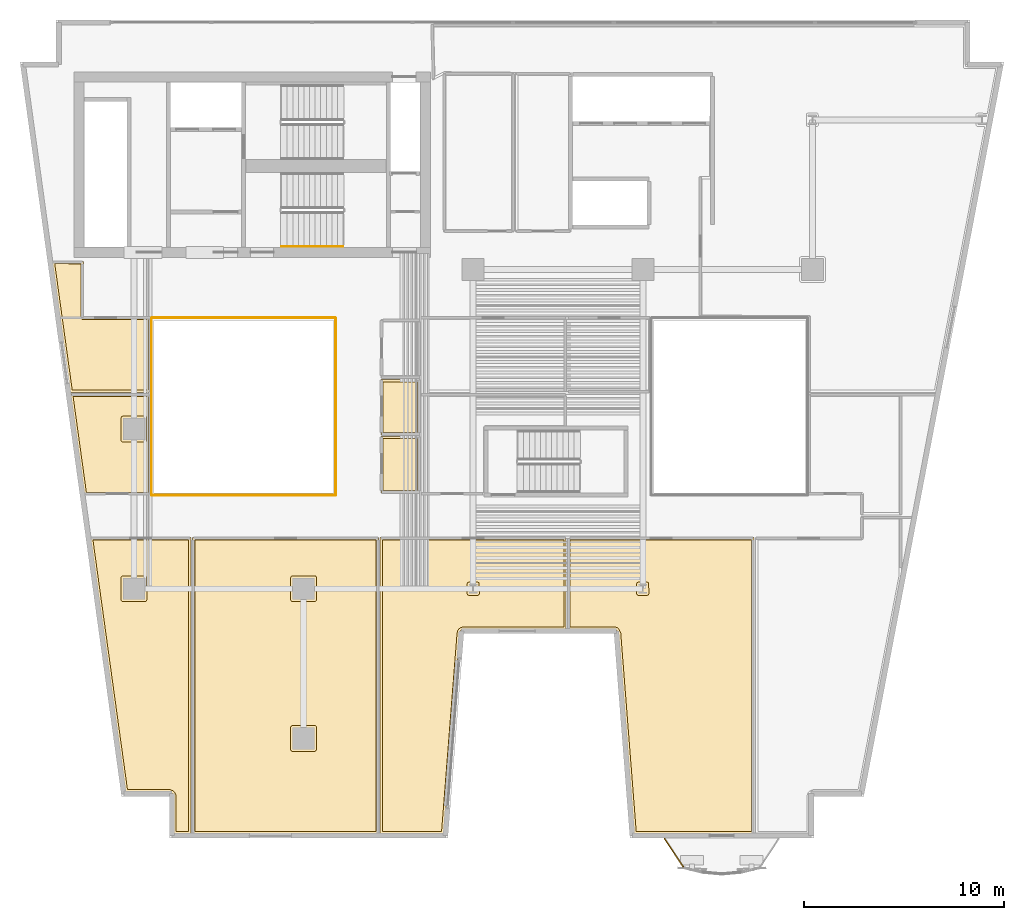
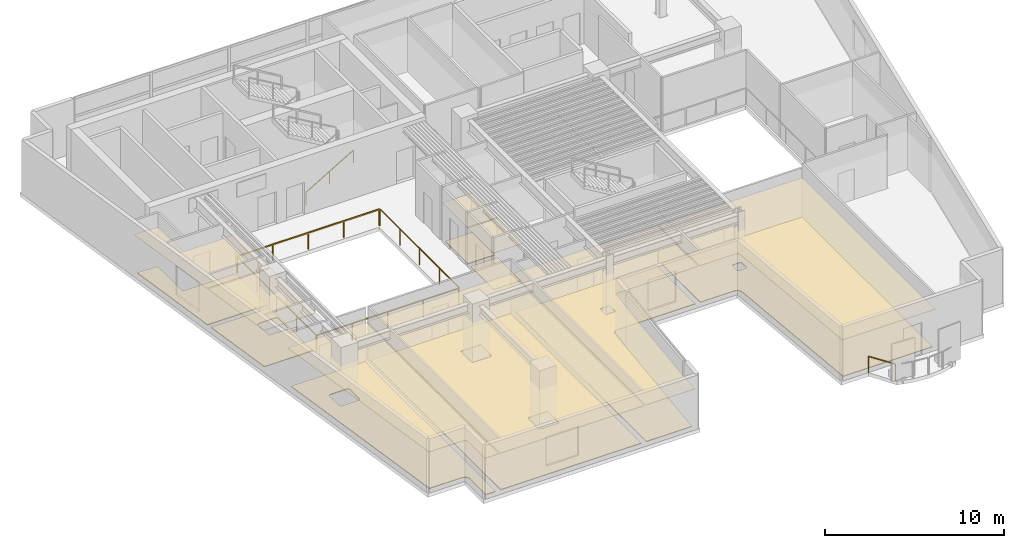
# One storey, part 9 of 13: 16 coverings, 6 railings.
"""IFC4 building model written with IfcOpenShell, lengths in metres."""

from ifc_helpers import new_model, si_unit, direction, frame, origin, origin_2d, place, context, subcontext, project, spatial, polyline, rectangle, outline, extrude, material, layer, layer_set, type_object, element, save


model = new_model("IFC4")

# Units and contexts
model_context = context("Model", 3, precision=1e-05, world=origin(), true_north=direction((0.0, 1.0)))
body_context = subcontext(model_context, "Body", "Model", "MODEL_VIEW")
ifc_project = project(units=[si_unit("LENGTHUNIT", "METRE"), si_unit("AREAUNIT", "SQUARE_METRE"), si_unit("VOLUMEUNIT", "CUBIC_METRE"), si_unit("PLANEANGLEUNIT", "RADIAN"), si_unit("MASSUNIT", "GRAM", prefix="KILO")], contexts=[model_context])

# Site, building, storey
site_placement = place(None, origin())
site = spatial("IfcSite", under=ifc_project, at=site_placement, CompositionType="ELEMENT")
building_placement = place(site_placement, origin())
building = spatial("IfcBuilding", under=site, at=building_placement, Name="Caeloran Harvest Quay", CompositionType="ELEMENT")
storey_placement = place(building_placement, frame((0.0, 0.0, 162.75)))
storey = spatial("IfcBuildingStorey", under=building, at=storey_placement, Name="L38", CompositionType="ELEMENT", Elevation=162.75)

# Coverings
ifc_material_1 = material(Name="Perforated Mineral-Fibre Acoustic Ceiling Tile", Category="ceiling")
ifc_layer_1 = layer(ifc_material_1, 0.0400390625, Name="Perforated Mineral-Fibre Acoustic Ceiling Tile")
ifc_layer_set_1 = layer_set([ifc_layer_1], Name="Perforated Mineral-Fibre Acoustic Ceiling Tile")
covering_type_1 = type_object("IfcCoveringType", Name="COV-CEILING-ACOUSTIC", PredefinedType="CEILING", material=ifc_layer_set_1)
covering_1_placement = place(storey_placement, frame((0.0, 0.0, 2.60009765625)))
element("IfcCovering", 1, at=covering_1_placement, inside=storey, type_object=covering_type_1, Name="L38 Female Washroom WC Acoustic Ceiling", PredefinedType="CEILING", context=body_context, shape_type="SweptSolid", body=[
    extrude(outline(polyline([(22.840087890625, 22.7099609375), (20.8701171875, 22.7099609375), (20.8701171875, 25.489990234375), (22.840087890625, 25.489990234375), (22.840087890625, 22.7099609375)])), origin(), (0.0, 0.0, 1.0), 0.039794921875),
])
covering_2_placement = place(storey_placement, frame((0.0, 0.0, 2.60009765625)))
element("IfcCovering", 2, at=covering_2_placement, inside=storey, type_object=covering_type_1, Name="L38 Accessible Unisex Washroom WC Acoustic Ceiling", PredefinedType="CEILING", context=body_context, shape_type="SweptSolid", body=[
    extrude(outline(polyline([(22.840087890625, 19.81005859375), (20.8701171875, 19.81005859375), (20.8701171875, 22.639892578125), (22.840087890625, 22.639892578125), (22.840087890625, 19.81005859375)])), origin(), (0.0, 0.0, 1.0), 0.039794921875),
])
covering_3_placement = place(storey_placement, frame((0.0, 0.0, 2.60009765625)))
element("IfcCovering", 3, at=covering_3_placement, inside=storey, type_object=covering_type_1, Name="Agro-Finance Summit Conference Hall Acoustic Ceiling", PredefinedType="CEILING", context=body_context, shape_type="SweptSolid", body=[
    extrude(outline(polyline([(20.760009765625, 2.719970703125), (11.43994140625, 2.719970703125), (11.43994140625, 17.56005859375), (20.760009765625, 17.56005859375), (20.760009765625, 2.719970703125)])), origin(), (0.0, 0.0, 1.0), 0.039794921875),
])
covering_4_placement = place(storey_placement, frame((0.0, 0.0, 2.60009765625)))
element("IfcCovering", 4, at=covering_4_placement, inside=storey, type_object=covering_type_1, Name="Carbon Credit Seminar Room Acoustic Ceiling", PredefinedType="CEILING", context=body_context, shape_type="SweptSolid", body=[
    extrude(outline(polyline([(32.771484375, 12.788818359375), (32.739501953125, 12.86962890625), (32.696044921875, 12.918701171875), (32.576904296875, 12.968994140625), (30.239990234375, 12.969970703125), (30.239990234375, 17.56005859375), (39.56005859375, 17.56005859375), (39.56005859375, 2.719970703125), (33.55859375, 2.719970703125), (32.771484375, 12.788818359375)])), origin(), (0.0, 0.0, 1.0), 0.039794921875),
])
covering_5_placement = place(storey_placement, frame((0.0, 0.0, 2.60009765625)))
element("IfcCovering", 5, at=covering_5_placement, inside=storey, type_object=covering_type_1, Name="Investor Espresso Kitchen Acoustic Ceiling", PredefinedType="CEILING", context=body_context, shape_type="SweptSolid", body=[
    extrude(outline(polyline([(10.464111328125, 4.70361328125), (10.373779296875, 4.7939453125), (10.26904296875, 4.820068359375), (8.0712890625, 4.820068359375), (6.309326171875, 17.56005859375), (11.360107421875, 17.56005859375), (11.360107421875, 2.719970703125), (10.489990234375, 2.719970703125), (10.489990234375, 4.59912109375), (10.464111328125, 4.70361328125)])), origin(), (0.0, 0.0, 1.0), 0.039794921875),
])
covering_6_placement = place(storey_placement, frame((0.0, 0.0, 2.60009765625)))
element("IfcCovering", 6, at=covering_6_placement, inside=storey, type_object=covering_type_1, Name="Hospitality Catering Kitchen Acoustic Ceiling", PredefinedType="CEILING", context=body_context, shape_type="SweptSolid", body=[
    extrude(outline(polyline([(24.986572265625, 12.965576171875), (24.925048828125, 12.943359375), (24.8583984375, 12.887451171875), (24.810546875, 12.76611328125), (24.026611328125, 2.719970703125), (20.840087890625, 2.719970703125), (20.840087890625, 17.56005859375), (30.159912109375, 17.56005859375), (30.159912109375, 12.969970703125), (24.986572265625, 12.965576171875)])), origin(), (0.0, 0.0, 1.0), 0.039794921875),
])
covering_7_placement = place(storey_placement, frame((0.0, 0.0, 2.60009765625)))
element("IfcCovering", 7, at=covering_7_placement, inside=storey, type_object=covering_type_1, Name="Executive Wellness Lounge Acoustic Ceiling", PredefinedType="CEILING", context=body_context, shape_type="SweptSolid", body=[
    extrude(outline(polyline([(9.360107421875, 19.7099609375), (6.01220703125, 19.7099609375), (5.313720703125, 24.760009765625), (9.360107421875, 24.760009765625), (9.360107421875, 19.7099609375)])), origin(), (0.0, 0.0, 1.0), 0.039794921875),
])
covering_8_placement = place(storey_placement, frame((0.0, 0.0, 2.60009765625)))
element("IfcCovering", 8, at=covering_8_placement, inside=storey, type_object=covering_type_1, Name="Investor Espresso Kitchen 11 Acoustic Ceiling", PredefinedType="CEILING", context=body_context, shape_type="SweptSolid", body=[
    extrude(outline(polyline([(5.260009765625, 31.389892578125), (5.9599609375, 31.389892578125), (5.9599609375, 28.610107421875), (9.360107421875, 28.610107421875), (9.360107421875, 24.840087890625), (5.302490234375, 24.840087890625), (4.391357421875, 31.429931640625), (5.214599609375, 31.429931640625), (5.260009765625, 31.408447265625), (5.260009765625, 31.389892578125)])), origin(), (0.0, 0.0, 1.0), 0.039794921875),
])
ifc_material_2 = material(Name="Calcium-Sulphate Raised Access Floor and Terrazzo Finish", Category="flooring")
ifc_layer_2 = layer(ifc_material_2, 0.050048828125, Name="Calcium-Sulphate Raised Access Floor and Terrazzo Finish")
ifc_layer_set_2 = layer_set([ifc_layer_2], Name="Calcium-Sulphate Raised Access Floor and Terrazzo Finish")
covering_type_2 = type_object("IfcCoveringType", Name="COV-FLOOR-RAISED", PredefinedType="FLOORING", material=ifc_layer_set_2)
covering_9_placement = place(storey_placement, origin())
element("IfcCovering", 9, at=covering_9_placement, inside=storey, type_object=covering_type_2, Name="L38 Female Washroom WC Raised Finish Flooring", PredefinedType="FLOORING", context=body_context, shape_type="SweptSolid", body=[
    extrude(outline(polyline([(22.719970703125, 22.830078125), (20.989990234375, 22.830078125), (20.989990234375, 25.3701171875), (22.719970703125, 25.3701171875), (22.719970703125, 22.830078125)])), origin(), (0.0, 0.0, 1.0), 0.050048828125),
])
covering_10_placement = place(storey_placement, origin())
element("IfcCovering", 10, at=covering_10_placement, inside=storey, type_object=covering_type_2, Name="L38 Accessible Unisex Washroom WC Raised Finish Flooring", PredefinedType="FLOORING", context=body_context, shape_type="SweptSolid", body=[
    extrude(outline(polyline([(22.719970703125, 19.929931640625), (20.989990234375, 19.929931640625), (20.989990234375, 22.52001953125), (22.719970703125, 22.52001953125), (22.719970703125, 19.929931640625)])), origin(), (0.0, 0.0, 1.0), 0.050048828125),
])
covering_11_placement = place(storey_placement, origin())
element("IfcCovering", 11, at=covering_11_placement, inside=storey, type_object=covering_type_2, Name="Agro-Finance Summit Conference Hall Raised Finish Flooring", PredefinedType="FLOORING", context=body_context, shape_type="SweptSolid", body=[
    extrude(outline(polyline([(11.56005859375, 17.43994140625), (20.639892578125, 17.43994140625), (20.639892578125, 2.840087890625), (11.56005859375, 2.840087890625), (11.56005859375, 17.43994140625)]), holes=[polyline([(16.43505859375, 8.14501953125), (16.37841796875, 8.12158203125), (16.35498046875, 8.06494140625), (16.35498046875, 6.93505859375), (16.37841796875, 6.87841796875), (16.43505859375, 6.85498046875), (17.56494140625, 6.85498046875), (17.62158203125, 6.87841796875), (17.64501953125, 6.93505859375), (17.64501953125, 8.06494140625), (17.62158203125, 8.12158203125), (17.56494140625, 8.14501953125), (16.43505859375, 8.14501953125)]), polyline([(16.43505859375, 15.64501953125), (16.37841796875, 15.62158203125), (16.35498046875, 15.56494140625), (16.35498046875, 14.43505859375), (16.37841796875, 14.37841796875), (16.43505859375, 14.35498046875), (17.56494140625, 14.35498046875), (17.62158203125, 14.37841796875), (17.64501953125, 14.43505859375), (17.64501953125, 15.56494140625), (17.62158203125, 15.62158203125), (17.56494140625, 15.64501953125), (16.43505859375, 15.64501953125)])]), origin(), (0.0, 0.0, 1.0), 0.050048828125),
])
covering_12_placement = place(storey_placement, origin())
element("IfcCovering", 12, at=covering_12_placement, inside=storey, type_object=covering_type_2, Name="Carbon Credit Seminar Room Raised Finish Flooring", PredefinedType="FLOORING", context=body_context, shape_type="SweptSolid", body=[
    extrude(outline(polyline([(32.89404296875, 12.776611328125), (32.80078125, 12.98486328125), (32.7138671875, 13.050537109375), (32.5927734375, 13.087890625), (30.360107421875, 13.090087890625), (30.360107421875, 17.43994140625), (39.43994140625, 17.43994140625), (39.43994140625, 2.840087890625), (33.66943359375, 2.840087890625), (32.89404296875, 12.776611328125)]), holes=[polyline([(34.306884765625, 14.748046875), (34.288818359375, 15.302734375), (34.23486328125, 15.33154296875), (33.77294921875, 15.33203125), (33.71630859375, 15.30859375), (33.693115234375, 15.251953125), (33.693115234375, 14.748046875), (33.71630859375, 14.69140625), (33.77294921875, 14.66796875), (34.22705078125, 14.66796875), (34.28369140625, 14.69140625), (34.306884765625, 14.748046875)])]), origin(), (0.0, 0.0, 1.0), 0.050048828125),
])
covering_13_placement = place(storey_placement, origin())
element("IfcCovering", 13, at=covering_13_placement, inside=storey, type_object=covering_type_2, Name="Investor Espresso Kitchen Raised Finish Flooring", PredefinedType="FLOORING", context=body_context, shape_type="SweptSolid", body=[
    extrude(outline(polyline([(10.58544921875, 4.726318359375), (10.482666015625, 4.865234375), (10.29931640625, 4.938720703125), (8.17578125, 4.93994140625), (6.447021484375, 17.43994140625), (11.239990234375, 17.43994140625), (11.239990234375, 2.840087890625), (10.610107421875, 2.840087890625), (10.610107421875, 4.60009765625), (10.58544921875, 4.726318359375)]), holes=[polyline([(7.93505859375, 15.64501953125), (7.87841796875, 15.62158203125), (7.85498046875, 15.56494140625), (7.85498046875, 14.43505859375), (7.87841796875, 14.37841796875), (7.93505859375, 14.35498046875), (9.06494140625, 14.35498046875), (9.12158203125, 14.37841796875), (9.14501953125, 14.43505859375), (9.14501953125, 15.56494140625), (9.12158203125, 15.62158203125), (9.06494140625, 15.64501953125), (7.93505859375, 15.64501953125)])]), origin(), (0.0, 0.0, 1.0), 0.050048828125),
])
covering_14_placement = place(storey_placement, origin())
element("IfcCovering", 14, at=covering_14_placement, inside=storey, type_object=covering_type_2, Name="Hospitality Catering Kitchen Raised Finish Flooring", PredefinedType="FLOORING", context=body_context, shape_type="SweptSolid", body=[
    extrude(outline(polyline([(25.000244140625, 13.088623046875), (24.89453125, 13.061767578125), (24.789794921875, 12.990478515625), (24.72607421875, 12.902099609375), (24.69140625, 12.780517578125), (23.91552734375, 2.840087890625), (20.9599609375, 2.840087890625), (20.9599609375, 17.43994140625), (30.0400390625, 17.43994140625), (30.0400390625, 13.090087890625), (25.000244140625, 13.088623046875)]), holes=[polyline([(25.806884765625, 14.748046875), (25.788818359375, 15.302734375), (25.73486328125, 15.33154296875), (25.27294921875, 15.33203125), (25.21630859375, 15.30859375), (25.193115234375, 15.251953125), (25.193115234375, 14.748046875), (25.21630859375, 14.69140625), (25.27294921875, 14.66796875), (25.72705078125, 14.66796875), (25.78369140625, 14.69140625), (25.806884765625, 14.748046875)])]), origin(), (0.0, 0.0, 1.0), 0.050048828125),
])
covering_15_placement = place(storey_placement, origin())
element("IfcCovering", 15, at=covering_15_placement, inside=storey, type_object=covering_type_2, Name="Executive Wellness Lounge Raised Finish Flooring", PredefinedType="FLOORING", context=body_context, shape_type="SweptSolid", body=[
    extrude(outline(polyline([(9.239990234375, 24.639892578125), (9.239990234375, 19.830078125), (6.11669921875, 19.830078125), (5.451416015625, 24.639892578125), (9.239990234375, 24.639892578125)]), holes=[polyline([(9.14501953125, 23.56494140625), (9.12158203125, 23.62158203125), (9.06494140625, 23.64501953125), (7.93505859375, 23.64501953125), (7.87841796875, 23.62158203125), (7.85498046875, 23.56494140625), (7.85498046875, 22.43505859375), (7.87841796875, 22.37841796875), (7.93505859375, 22.35498046875), (9.06494140625, 22.35498046875), (9.12158203125, 22.37841796875), (9.14501953125, 22.43505859375), (9.14501953125, 23.56494140625)])]), origin(), (0.0, 0.0, 1.0), 0.050048828125),
])
covering_16_placement = place(storey_placement, origin())
element("IfcCovering", 16, at=covering_16_placement, inside=storey, type_object=covering_type_2, Name="Investor Espresso Kitchen 11 Raised Finish Flooring", PredefinedType="FLOORING", context=body_context, shape_type="SweptSolid", body=[
    extrude(outline(polyline([(5.165283203125, 31.31005859375), (5.2431640625, 31.270263671875), (5.840087890625, 31.27001953125), (5.840087890625, 28.60009765625), (5.8857421875, 28.5107421875), (5.949951171875, 28.489990234375), (9.239990234375, 28.489990234375), (9.239990234375, 24.9599609375), (5.4072265625, 24.9599609375), (4.529052734375, 31.31005859375), (5.165283203125, 31.31005859375)])), origin(), (0.0, 0.0, 1.0), 0.050048828125),
])

# Railings
ifc_material_3 = material(Name="Powder-Coated Steel Post and Laminated Glass Guardrail", Category="steel")
ifc_layer_3 = layer(ifc_material_3, 0.06005859375, Name="Powder-Coated Steel Post and Laminated Glass Guardrail")
ifc_layer_set_3 = layer_set([ifc_layer_3], Name="Powder-Coated Steel Post and Laminated Glass Guardrail")
railing_type_1 = type_object("IfcRailingType", Name="GUARD-ATRIUM-1150", PredefinedType="GUARDRAIL", material=ifc_layer_set_3)
railing_1_placement = place(storey_placement, frame((9.412109375, 19.679931640625, 0.0)))
element("IfcRailing", 17, at=railing_1_placement, inside=storey, type_object=railing_type_1, Name="L38 Skylit Atrium Void Perimeter Guardrail Seg 1", PredefinedType="GUARDRAIL", context=body_context, shape_type="SweptSolid", body=[
    extrude(rectangle(XDim=0.048095703125, YDim=0.048095703125, at=origin_2d()), frame((0.0, 0.0, 1.1259765625), z_axis=(1.0, 0.0, 0.0), x_axis=(0.0, 1.0, 0.0)), (0.0, 0.0, 1.0), 9.17578125),
    extrude(rectangle(XDim=0.0419921875, YDim=0.0419921875, at=origin_2d()), origin(), (0.0, 0.0, 1.0), 1.101806640625),
    extrude(rectangle(XDim=0.0419921875, YDim=0.0419921875, at=origin_2d()), frame((2.2939453125, 0.0, 0.0)), (0.0, 0.0, 1.0), 1.101806640625),
    extrude(rectangle(XDim=0.0419921875, YDim=0.0419921875, at=origin_2d()), frame((4.587890625, 0.0, 0.0)), (0.0, 0.0, 1.0), 1.101806640625),
    extrude(rectangle(XDim=0.0419921875, YDim=0.0419921875, at=origin_2d()), frame((6.8818359375, 0.0, 0.0)), (0.0, 0.0, 1.0), 1.101806640625),
    extrude(rectangle(XDim=0.0419921875, YDim=0.0419921875, at=origin_2d()), frame((9.17578125, 0.0, 0.0)), (0.0, 0.0, 1.0), 1.101806640625),
])
railing_2_placement = place(storey_placement, frame((18.6201171875, 19.7119140625, 0.0)))
element("IfcRailing", 18, at=railing_2_placement, inside=storey, type_object=railing_type_1, Name="L38 Skylit Atrium Void Perimeter Guardrail Seg 2", PredefinedType="GUARDRAIL", context=body_context, shape_type="SweptSolid", body=[
    extrude(rectangle(XDim=0.048095703125, YDim=0.048095703125, at=origin_2d()), frame((0.0, 0.0, 1.1259765625), z_axis=(0.0, 1.0, 0.0), x_axis=(-1.0, 0.0, 0.0)), (0.0, 0.0, 1.0), 8.826171875),
    extrude(rectangle(XDim=0.0419921875, YDim=0.0419921875, at=origin_2d()), origin(), (0.0, 0.0, 1.0), 1.101806640625),
    extrude(rectangle(XDim=0.0419921875, YDim=0.0419921875, at=origin_2d()), frame((0.0, 2.20654296875, 0.0)), (0.0, 0.0, 1.0), 1.101806640625),
    extrude(rectangle(XDim=0.0419921875, YDim=0.0419921875, at=origin_2d()), frame((0.0, 4.4130859375, 0.0)), (0.0, 0.0, 1.0), 1.101806640625),
    extrude(rectangle(XDim=0.0419921875, YDim=0.0419921875, at=origin_2d()), frame((0.0, 6.61962890625, 0.0)), (0.0, 0.0, 1.0), 1.101806640625),
    extrude(rectangle(XDim=0.0419921875, YDim=0.0419921875, at=origin_2d()), frame((0.0, 8.826171875, 0.0)), (0.0, 0.0, 1.0), 1.101806640625),
])
railing_3_placement = place(storey_placement, frame((18.587890625, 28.570068359375, 0.0)))
element("IfcRailing", 19, at=railing_3_placement, inside=storey, type_object=railing_type_1, Name="L38 Skylit Atrium Void Perimeter Guardrail Seg 3", PredefinedType="GUARDRAIL", context=body_context, shape_type="SweptSolid", body=[
    extrude(rectangle(XDim=0.048095703125, YDim=0.048095703125, at=origin_2d()), frame((0.0, 0.0, 1.1259765625), z_axis=(-1.0, 0.0, 0.0), x_axis=(0.0, -1.0, 0.0)), (0.0, 0.0, 1.0), 9.17578125),
    extrude(rectangle(XDim=0.0419921875, YDim=0.0419921875, at=origin_2d()), origin(), (0.0, 0.0, 1.0), 1.101806640625),
    extrude(rectangle(XDim=0.0419921875, YDim=0.0419921875, at=origin_2d()), frame((-2.2939453125, 0.0, 0.0)), (0.0, 0.0, 1.0), 1.101806640625),
    extrude(rectangle(XDim=0.0419921875, YDim=0.0419921875, at=origin_2d()), frame((-4.587890625, 0.0, 0.0)), (0.0, 0.0, 1.0), 1.101806640625),
    extrude(rectangle(XDim=0.0419921875, YDim=0.0419921875, at=origin_2d()), frame((-6.8818359375, 0.0, 0.0)), (0.0, 0.0, 1.0), 1.101806640625),
    extrude(rectangle(XDim=0.0419921875, YDim=0.0419921875, at=origin_2d()), frame((-9.17578125, 0.0, 0.0)), (0.0, 0.0, 1.0), 1.101806640625),
])
railing_4_placement = place(storey_placement, frame((9.3798828125, 28.5380859375, 0.0)))
element("IfcRailing", 20, at=railing_4_placement, inside=storey, type_object=railing_type_1, Name="L38 Skylit Atrium Void Perimeter Guardrail Seg 4", PredefinedType="GUARDRAIL", context=body_context, shape_type="SweptSolid", body=[
    extrude(rectangle(XDim=0.048095703125, YDim=0.048095703125, at=origin_2d()), frame((0.0, 0.0, 1.1259765625), z_axis=(0.0, -1.0, 0.0), x_axis=(1.0, 0.0, 0.0)), (0.0, 0.0, 1.0), 8.826171875),
    extrude(rectangle(XDim=0.0419921875, YDim=0.0419921875, at=origin_2d()), origin(), (0.0, 0.0, 1.0), 1.101806640625),
    extrude(rectangle(XDim=0.0419921875, YDim=0.0419921875, at=origin_2d()), frame((0.0, -2.20654296875, 0.0)), (0.0, 0.0, 1.0), 1.101806640625),
    extrude(rectangle(XDim=0.0419921875, YDim=0.0419921875, at=origin_2d()), frame((0.0, -4.4130859375, 0.0)), (0.0, 0.0, 1.0), 1.101806640625),
    extrude(rectangle(XDim=0.0419921875, YDim=0.0419921875, at=origin_2d()), frame((0.0, -6.61962890625, 0.0)), (0.0, 0.0, 1.0), 1.101806640625),
    extrude(rectangle(XDim=0.0419921875, YDim=0.0419921875, at=origin_2d()), frame((0.0, -8.826171875, 0.0)), (0.0, 0.0, 1.0), 1.101806640625),
])
ifc_material_4 = material(Name="Laminated Safety Glass and Stainless Steel 316", Category="steel")
ifc_layer_4 = layer(ifc_material_4, 0.06005859375, Name="Laminated Safety Glass and Stainless Steel 316")
ifc_layer_set_4 = layer_set([ifc_layer_4], Name="Laminated Safety Glass and Stainless Steel 316")
railing_type_2 = type_object("IfcRailingType", Name="GUARD-BALUSTRADE-1150", PredefinedType="BALUSTRADE", material=ifc_layer_set_4)
railing_5_placement = place(storey_placement, frame((36.027587890625, 1.061767578125, 0.0)))
element("IfcRailing", 21, at=railing_5_placement, inside=storey, type_object=railing_type_2, Name="L38 Planted Balcony Perimeter Balustrade Guard Seg 6", PredefinedType="BALUSTRADE", context=body_context, shape_type="SweptSolid", body=[
    extrude(rectangle(XDim=0.048095703125, YDim=0.048095703125, at=origin_2d()), frame((0.0, 0.0, 1.1259765625), z_axis=(-0.551847813959, 0.833944836443, 0.0), x_axis=(-0.833944836443, -0.551847813959, 0.0)), (0.0, 0.0, 1.0), 1.70068359375),
    extrude(rectangle(XDim=0.0419921875, YDim=0.0419921875, at=origin_2d()), origin(), (0.0, 0.0, 1.0), 1.101806640625),
    extrude(rectangle(XDim=0.0419921875, YDim=0.0419921875, at=origin_2d()), frame((-0.9384765625, 1.418212890625, 0.0)), (0.0, 0.0, 1.0), 1.101806640625),
])
ifc_material_5 = material(Name="Brushed Stainless Steel Grade 304", Category="steel")
ifc_layer_5 = layer(ifc_material_5, 0.050048828125, Name="Brushed Stainless Steel Grade 304")
ifc_layer_set_5 = layer_set([ifc_layer_5], Name="Brushed Stainless Steel Grade 304")
railing_type_3 = type_object("IfcRailingType", Name="STAIR-HANDRAIL-900", PredefinedType="HANDRAIL", material=ifc_layer_set_5)
railing_6_placement = place(storey_placement, frame((15.89990234375, 32.14990234375, 0.16455078125)))
element("IfcRailing", 22, at=railing_6_placement, inside=storey, type_object=railing_type_3, Name="L38 ST-C2 stair handrail 1", PredefinedType="HANDRAIL", context=body_context, shape_type="SweptSolid", body=[
    extrude(rectangle(XDim=0.048095703125, YDim=0.048095703125, at=origin_2d()), frame((0.0, 0.0, 0.8759765625), z_axis=(0.862088758681, 0.0, 0.506757310905), x_axis=(0.0, 1.0, 0.0)), (0.0, 0.0, 1.0), 3.57275390625),
    extrude(rectangle(XDim=0.0419921875, YDim=0.0419921875, at=origin_2d()), origin(), (0.0, 0.0, 1.0), 0.851806640625),
    extrude(rectangle(XDim=0.0419921875, YDim=0.0419921875, at=origin_2d()), frame((1.5400390625, 0.0, 0.9052734375)), (0.0, 0.0, 1.0), 0.851806640625),
    extrude(rectangle(XDim=0.0419921875, YDim=0.0419921875, at=origin_2d()), frame((3.080078125, 0.0, 1.810546875)), (0.0, 0.0, 1.0), 0.851806640625),
])

save(model, "model.ifc")
